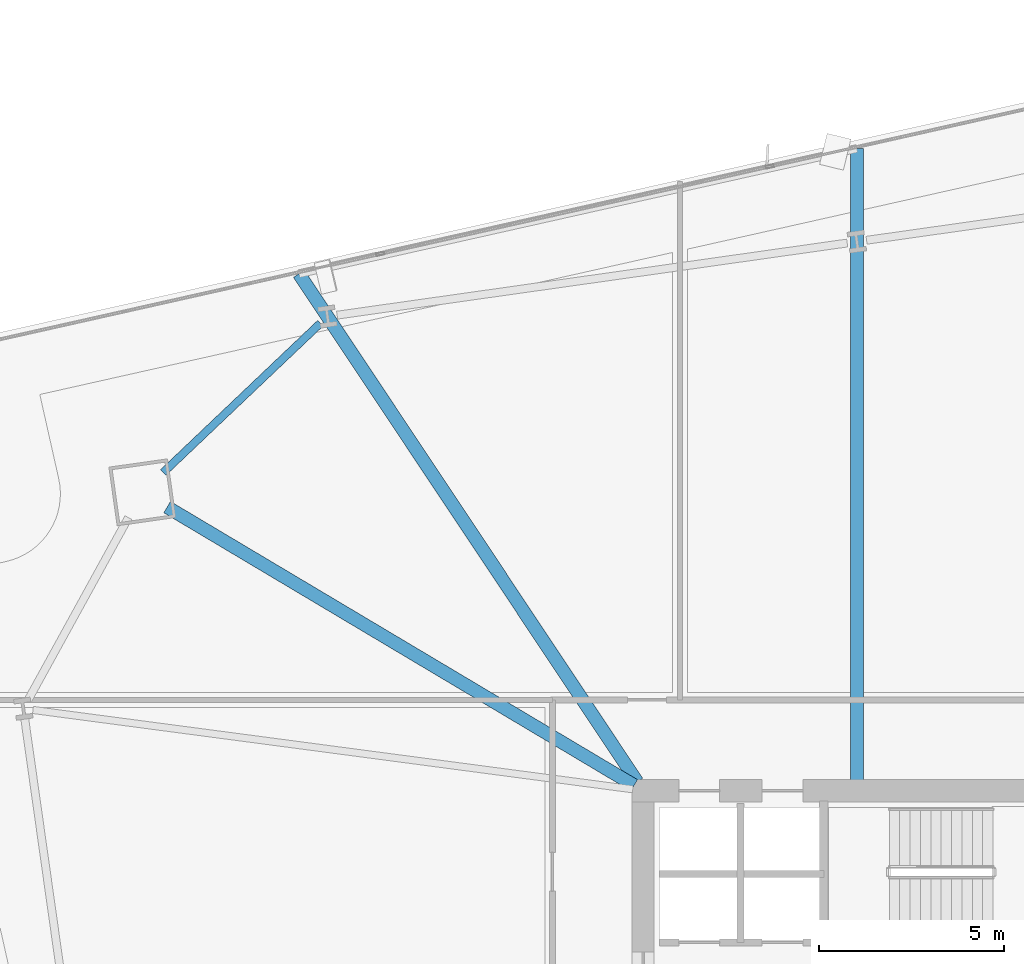
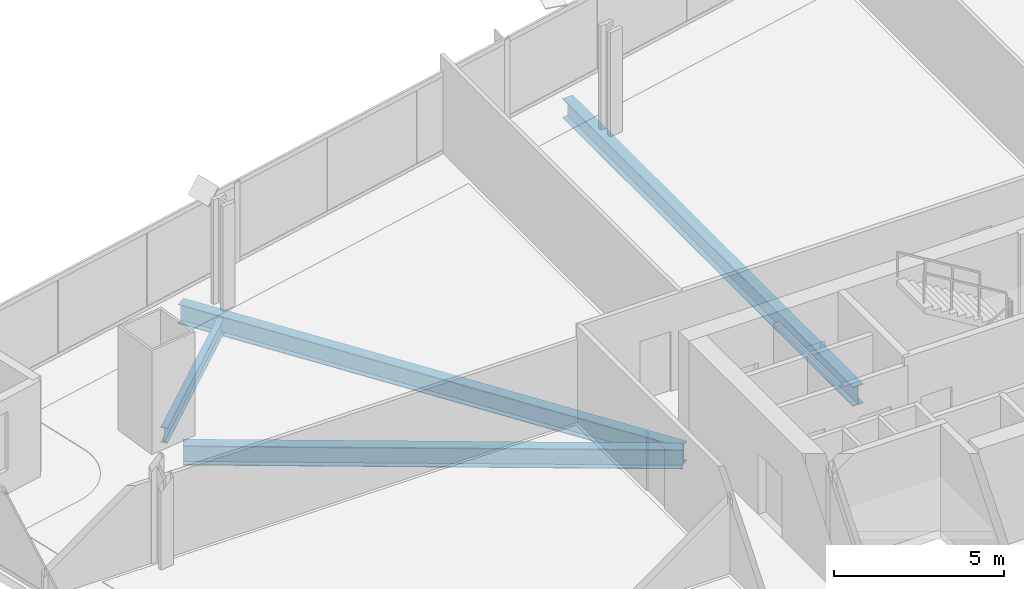
# One storey, part 15 of 32: 4 beams.
"""IFC4 building model written with IfcOpenShell, lengths in metres."""

from ifc_helpers import new_model, si_unit, direction, frame, origin, origin_2d, place, context, subcontext, project, spatial, i_section, extrude, material, material_profile, profile_set, type_object, element, save


model = new_model("IFC4")

# Units and contexts
model_context = context("Model", 3, precision=1e-05, world=origin(), true_north=direction((0.0, 1.0)))
body_context = subcontext(model_context, "Body", "Model", "MODEL_VIEW")
ifc_project = project(units=[si_unit("LENGTHUNIT", "METRE"), si_unit("AREAUNIT", "SQUARE_METRE"), si_unit("VOLUMEUNIT", "CUBIC_METRE"), si_unit("PLANEANGLEUNIT", "RADIAN"), si_unit("MASSUNIT", "GRAM", prefix="KILO")], contexts=[model_context])

# Site, building, storey
site_placement = place(None, origin())
site = spatial("IfcSite", under=ifc_project, at=site_placement, CompositionType="ELEMENT")
building_placement = place(site_placement, origin())
building = spatial("IfcBuilding", under=site, at=building_placement, Name="Haldenkirk Collegiate Tower", CompositionType="ELEMENT")
storey_placement = place(building_placement, frame((0.0, 0.0, 70.199951171875)))
storey = spatial("IfcBuildingStorey", under=building, at=storey_placement, Name="L16", CompositionType="ELEMENT", Elevation=70.199951171875)

# Beams
ifc_material = material(Name="Steel ASTM A992 Grade 50", Category="steel")
ifc_material_profile_1 = material_profile(ifc_material, i_section(OverallWidth=0.35498046875, OverallDepth=0.696044921875, WebThickness=0.015380859375, FlangeThickness=0.02490234375, at=origin_2d()), Name="W27X146")
ifc_profile_set_1 = profile_set([ifc_material_profile_1], Name="Steel ASTM A992 Grade 50")
beam_type_1 = type_object("IfcBeamType", Name="BM-GIRDER-W27X146", PredefinedType="BEAM", material=ifc_profile_set_1)
beam_1_placement = place(storey_placement, frame((14.14990234375, 41.6552734375, -0.657958984375), z_axis=(0.859106056552, -0.511797600225, 0.0), x_axis=(0.511797600225, 0.859106056552, 0.0)))
element("IfcBeam", 1, at=beam_1_placement, inside=storey, type_object=beam_type_1, Name="L16 primary floor girder 04", PredefinedType="BEAM", context=body_context, shape_type="SweptSolid", body=[
    extrude(i_section(OverallWidth=0.35498046875, OverallDepth=0.696044921875, WebThickness=0.015380859375, FlangeThickness=0.02490234375, at=origin_2d()), origin(), (0.0, 0.0, 1.0), 14.677490234375),
])
beam_2_placement = place(storey_placement, frame((32.772216796875, 51.338134765625, -0.657958984375), z_axis=(0.0, -1.0, 0.0), x_axis=(1.0, 0.0, 0.0)))
element("IfcBeam", 2, at=beam_2_placement, inside=storey, type_object=beam_type_1, Name="L16 primary floor girder 12", PredefinedType="BEAM", context=body_context, shape_type="SweptSolid", body=[
    extrude(i_section(OverallWidth=0.35498046875, OverallDepth=0.696044921875, WebThickness=0.015380859375, FlangeThickness=0.02490234375, at=origin_2d()), origin(), (0.0, 0.0, 1.0), 17.05810546875),
])
beam_3_placement = place(storey_placement, frame((17.708984375, 47.957275390625, -0.657958984375), z_axis=(0.554125958433, -0.832432833441, 0.0), x_axis=(0.832432833441, 0.554125958433, 0.0)))
element("IfcBeam", 3, at=beam_3_placement, inside=storey, type_object=beam_type_1, Name="L16 primary floor girder 13", PredefinedType="BEAM", context=body_context, shape_type="SweptSolid", body=[
    extrude(i_section(OverallWidth=0.35498046875, OverallDepth=0.696044921875, WebThickness=0.015380859375, FlangeThickness=0.02490234375, at=origin_2d()), origin(), (0.0, 0.0, 1.0), 16.48681640625),
])
ifc_material_profile_2 = material_profile(ifc_material, i_section(OverallWidth=0.2119140625, OverallDepth=0.5439453125, WebThickness=0.01318359375, FlangeThickness=0.021240234375, at=origin_2d()), Name="W21X83")
ifc_profile_set_2 = profile_set([ifc_material_profile_2], Name="Steel ASTM A992 Grade 50")
beam_type_2 = type_object("IfcBeamType", Name="BM-SPANDREL-W21X83", PredefinedType="SPANDREL", material=ifc_profile_set_2)
beam_4_placement = place(storey_placement, frame((18.28662109375, 46.619140625, -0.58203125), z_axis=(-0.725132817178, -0.688609030911, 0.0), x_axis=(0.688609030911, -0.725132817178, 0.0)))
element("IfcBeam", 4, at=beam_4_placement, inside=storey, type_object=beam_type_2, Name="L16 perimeter spandrel beam 12", PredefinedType="SPANDREL", context=body_context, shape_type="SweptSolid", body=[
    extrude(i_section(OverallWidth=0.2119140625, OverallDepth=0.5439453125, WebThickness=0.01318359375, FlangeThickness=0.021240234375, at=origin_2d()), origin(), (0.0, 0.0, 1.0), 5.848876953125),
])

save(model, "model.ifc")
